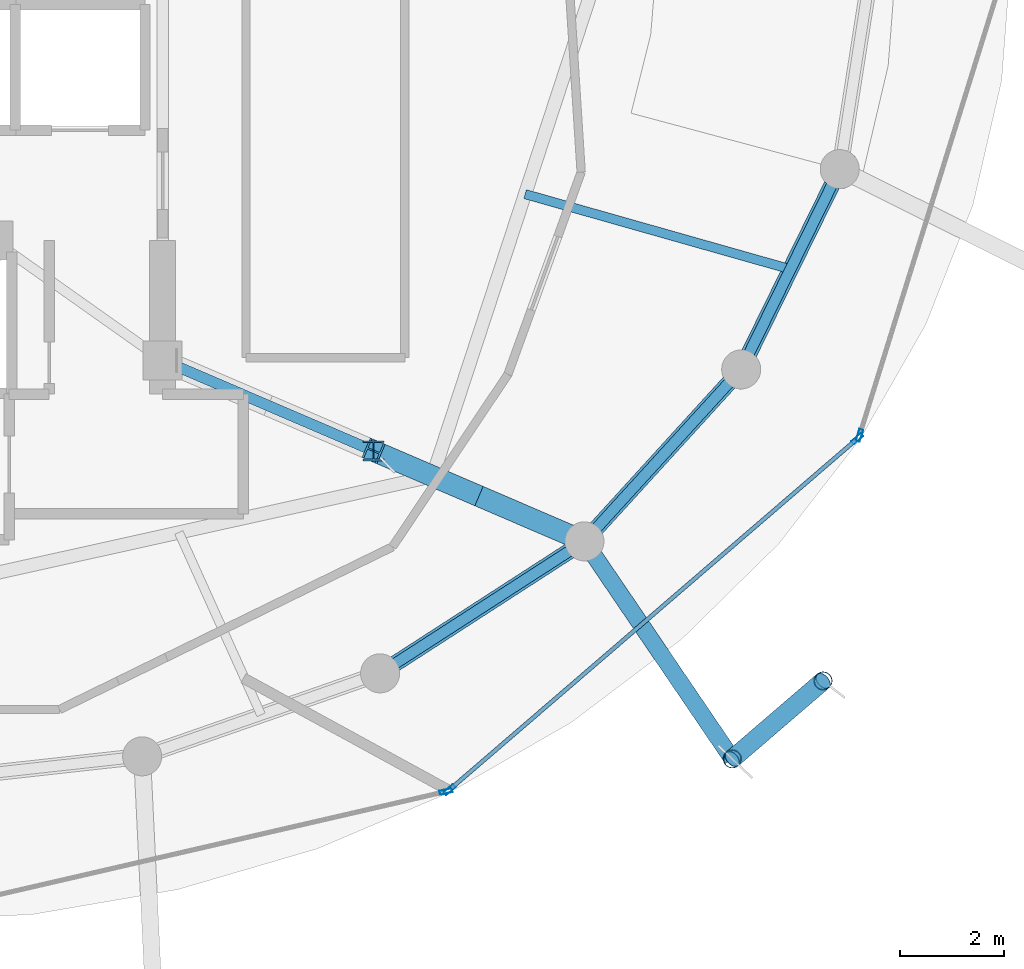
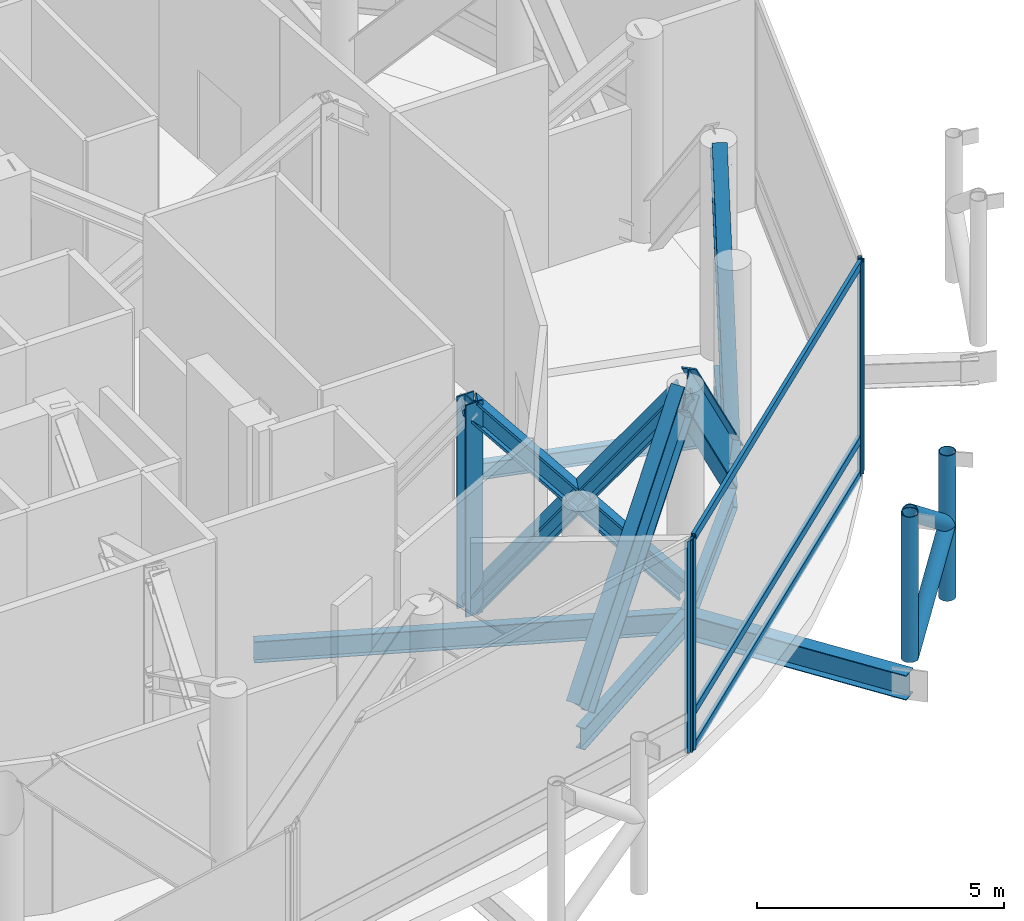
# One storey, part 9 of 26: 17 members, 6 beams, 3 elements without a shape of their own.
"""IFC4 building model written with IfcOpenShell, lengths in metres."""

from ifc_helpers import new_model, si_unit, direction, frame, origin, origin_2d, place, context, subcontext, project, spatial, hollow_rectangle, hollow_circle, i_section, extrude, material, layer, layer_set, material_profile, profile_set, type_object, element, aggregate, save


model = new_model("IFC4")

# Units and contexts
model_context = context("Model", 3, precision=1e-05, world=origin(), true_north=direction((0.0, 1.0)))
body_context = subcontext(model_context, "Body", "Model", "MODEL_VIEW")
ifc_project = project(units=[si_unit("LENGTHUNIT", "METRE"), si_unit("AREAUNIT", "SQUARE_METRE"), si_unit("VOLUMEUNIT", "CUBIC_METRE"), si_unit("PLANEANGLEUNIT", "RADIAN"), si_unit("MASSUNIT", "GRAM", prefix="KILO")], contexts=[model_context])

# Site, building, storey
site_placement = place(None, origin())
site = spatial("IfcSite", under=ifc_project, at=site_placement, CompositionType="ELEMENT")
building_placement = place(site_placement, origin())
building = spatial("IfcBuilding", under=site, at=building_placement, Name="Nuhasar Tower", CompositionType="ELEMENT")
storey_placement = place(building_placement, frame((0.0, 0.0, 301.199951171875)))
storey = spatial("IfcBuildingStorey", under=building, at=storey_placement, Name="L75", CompositionType="ELEMENT", Elevation=301.199951171875)

# Members
ifc_material_1 = material(Name="Steel S460", Category="steel")
ifc_material_profile_1 = material_profile(ifc_material_1, i_section(OverallWidth=0.306884765625, OverallDepth=0.927001953125, WebThickness=0.019287109375, FlangeThickness=0.031982421875, at=origin_2d()), Name="W36X194")
ifc_profile_set_1 = profile_set([ifc_material_profile_1], Name="Steel S460")
member_type_1 = type_object("IfcMemberType", Name="BLT-DIAG-W36B", PredefinedType="CHORD", material=ifc_profile_set_1)
member_1_placement = place(storey_placement, frame((48.47509765625, 12.987060546875, 0.150146484375), z_axis=(0.576604531791, 0.372411349439, 0.727211799084), x_axis=(-0.542546940809, 0.840025485934, 0.0)))
element("IfcMember", 1, at=member_1_placement, inside=storey, type_object=member_type_1, Name="L75 Belt Truss Diagonal 21", PredefinedType="CHORD", context=body_context, shape_type="SweptSolid", body=[
    extrude(i_section(OverallWidth=0.306884765625, OverallDepth=0.927001953125, WebThickness=0.019287109375, FlangeThickness=0.031982421875, at=origin_2d()), origin(), (0.0, 0.0, 1.0), 6.806640625),
])
member_2_placement = place(storey_placement, frame((55.410888671875, 18.824951171875, 0.150146484375), z_axis=(-0.451478957779, -0.495261397858, 0.742214860047), x_axis=(0.739017432293, -0.673686302939, 0.0)))
element("IfcMember", 2, at=member_2_placement, inside=storey, type_object=member_type_1, Name="L75 Belt Truss Diagonal 22", PredefinedType="CHORD", context=body_context, shape_type="SweptSolid", body=[
    extrude(i_section(OverallWidth=0.306884765625, OverallDepth=0.927001953125, WebThickness=0.019287109375, FlangeThickness=0.031982421875, at=origin_2d()), origin(), (0.0, 0.0, 1.0), 6.669189453125),
])
member_3_placement = place(storey_placement, frame((55.410888671875, 18.824951171875, 0.150146484375), z_axis=(0.289071954974, 0.587464001351, 0.755859412831), x_axis=(-0.897256052576, 0.441510561726, 0.0)))
element("IfcMember", 3, at=member_3_placement, inside=storey, type_object=member_type_1, Name="L75 Belt Truss Diagonal 23", PredefinedType="CHORD", context=body_context, shape_type="SweptSolid", body=[
    extrude(i_section(OverallWidth=0.306884765625, OverallDepth=0.927001953125, WebThickness=0.019287109375, FlangeThickness=0.031982421875, at=origin_2d()), origin(), (0.0, 0.0, 1.0), 6.548828125),
])

# Beams
ifc_material_2 = material(Name="Steel S355", Category="steel")
ifc_material_profile_2 = material_profile(ifc_material_2, i_section(OverallWidth=0.177978515625, OverallDepth=0.406005859375, WebThickness=0.0078125, FlangeThickness=0.0126953125, at=origin_2d()), Name="W16X40")
ifc_profile_set_2 = profile_set([ifc_material_profile_2], Name="Steel S355")
beam_type_1 = type_object("IfcBeamType", Name="BM-JST-W16X40", PredefinedType="JOIST", material=ifc_profile_set_2)
beam_1_placement = place(storey_placement, frame((51.260009765625, 22.19189453125, -0.552978515625), z_axis=(0.962154316042, -0.272505178156, 0.0), x_axis=(0.272505178156, 0.962154316042, 0.0)))
element("IfcBeam", 4, at=beam_1_placement, inside=storey, type_object=beam_type_1, Name="L75 Secondary Floor Joist 03", PredefinedType="JOIST", context=body_context, shape_type="SweptSolid", body=[
    extrude(i_section(OverallWidth=0.177978515625, OverallDepth=0.406005859375, WebThickness=0.0078125, FlangeThickness=0.0126953125, at=origin_2d()), origin(), (0.0, 0.0, 1.0), 5.29833984375),
])
ifc_material_profile_3 = material_profile(ifc_material_2, i_section(OverallWidth=0.208984375, OverallDepth=0.528076171875, WebThickness=0.009521484375, FlangeThickness=0.01318359375, at=origin_2d()), Name="W21X55")
ifc_profile_set_3 = profile_set([ifc_material_profile_3], Name="Steel S355")
beam_type_2 = type_object("IfcBeamType", Name="BM-RAD-W21X55", PredefinedType="BEAM", material=ifc_profile_set_3)
beam_2_placement = place(storey_placement, frame((44.300048828125, 19.0, -0.614013671875), z_axis=(0.91887119061, -0.394557644797, 0.0), x_axis=(0.394557644797, 0.91887119061, 0.0)))
element("IfcBeam", 5, at=beam_2_placement, inside=storey, type_object=beam_type_2, Name="L75 Radial Floor Girder 03", PredefinedType="BEAM", context=body_context, shape_type="SweptSolid", body=[
    extrude(i_section(OverallWidth=0.208984375, OverallDepth=0.528076171875, WebThickness=0.009521484375, FlangeThickness=0.01318359375, at=origin_2d()), origin(), (0.0, 0.0, 1.0), 8.81494140625),
])
ifc_material_profile_4 = material_profile(ifc_material_2, i_section(OverallWidth=0.2099609375, OverallDepth=0.537109375, WebThickness=0.010986328125, FlangeThickness=0.017333984375, at=origin_2d()), Name="W21X68")
ifc_profile_set_4 = profile_set([ifc_material_profile_4], Name="Steel S355")
beam_type_3 = type_object("IfcBeamType", Name="BM-RING-W21X68", PredefinedType="SPANDREL", material=ifc_profile_set_4)
beam_3_placement = place(storey_placement, frame((48.47509765625, 12.987060546875, -0.617919921875), z_axis=(0.840025485934, 0.542546940809, 0.0), x_axis=(-0.542546940809, 0.840025485934, 0.0)))
element("IfcBeam", 6, at=beam_3_placement, inside=storey, type_object=beam_type_3, Name="L75 Perimeter Ring Spandrel 21", PredefinedType="SPANDREL", context=body_context, shape_type="SweptSolid", body=[
    extrude(i_section(OverallWidth=0.2099609375, OverallDepth=0.537109375, WebThickness=0.010986328125, FlangeThickness=0.017333984375, at=origin_2d()), origin(), (0.0, 0.0, 1.0), 4.67236328125),
])
beam_4_placement = place(storey_placement, frame((52.39990234375, 15.52197265625, -0.617919921875), z_axis=(0.673686302939, 0.739017432293, 0.0), x_axis=(-0.739017432293, 0.673686302939, 0.0)))
element("IfcBeam", 7, at=beam_4_placement, inside=storey, type_object=beam_type_3, Name="L75 Perimeter Ring Spandrel 22", PredefinedType="SPANDREL", context=body_context, shape_type="SweptSolid", body=[
    extrude(i_section(OverallWidth=0.2099609375, OverallDepth=0.537109375, WebThickness=0.010986328125, FlangeThickness=0.017333984375, at=origin_2d()), origin(), (0.0, 0.0, 1.0), 4.469482421875),
])
beam_5_placement = place(storey_placement, frame((55.410888671875, 18.824951171875, -0.617919921875), z_axis=(0.441510561726, 0.897256052576, 0.0), x_axis=(-0.897256052576, 0.441510561726, 0.0)))
element("IfcBeam", 8, at=beam_5_placement, inside=storey, type_object=beam_type_3, Name="L75 Perimeter Ring Spandrel 23", PredefinedType="SPANDREL", context=body_context, shape_type="SweptSolid", body=[
    extrude(i_section(OverallWidth=0.2099609375, OverallDepth=0.537109375, WebThickness=0.010986328125, FlangeThickness=0.017333984375, at=origin_2d()), origin(), (0.0, 0.0, 1.0), 4.28759765625),
])
ifc_material_profile_5 = material_profile(ifc_material_2, i_section(OverallWidth=0.323974609375, OverallDepth=0.611083984375, WebThickness=0.0126953125, FlangeThickness=0.01904296875, at=origin_2d()), Name="W24X104")
ifc_profile_set_5 = profile_set([ifc_material_profile_5], Name="Steel S355")
beam_type_4 = type_object("IfcBeamType", Name="BM-TIE-W24X104", PredefinedType="BEAM", material=ifc_profile_set_5)
beam_6_placement = place(storey_placement, frame((52.39990234375, 15.52197265625, -0.655029296875), z_axis=(0.562093254487, -0.827073862034, 0.0), x_axis=(0.827073862034, 0.562093254487, 0.0)))
element("IfcBeam", 9, at=beam_6_placement, inside=storey, type_object=beam_type_4, Name="L75 Exoskeleton Node Tie Beam 11", PredefinedType="BEAM", context=body_context, shape_type="SweptSolid", body=[
    extrude(i_section(OverallWidth=0.323974609375, OverallDepth=0.611083984375, WebThickness=0.0126953125, FlangeThickness=0.01904296875, at=origin_2d()), origin(), (0.0, 0.0, 1.0), 5.052734375),
])

# Curtain wall, member
ifc_material_3 = material(Name="Aluminium 6063-T6", Category="aluminium")
ifc_layer = layer(ifc_material_3, 0.219970703125)
ifc_layer_set = layer_set([ifc_layer], Name="Aluminium 6063-T6")
curtain_wall_type = type_object("IfcCurtainWallType", Name="CW-CROWN", PredefinedType="NOTDEFINED", material=ifc_layer_set)
curtain_wall_1_placement = place(storey_placement, origin())
curtain_wall_1 = element("IfcCurtainWall", 10, at=curtain_wall_1_placement, inside=storey, type_object=curtain_wall_type, Name="L75 Unitised Curtain Wall 10", PredefinedType="NOTDEFINED")
ifc_material_profile_6 = material_profile(ifc_material_3, hollow_rectangle(XDim=0.080078125, YDim=0.239990234375, WallThickness=0.0048828125, at=origin_2d()), Name="CWM-7")
ifc_profile_set_6 = profile_set([ifc_material_profile_6], Name="Aluminium 6063-T6")
member_type_2 = type_object("IfcMemberType", Name="CW-MUL-S7", PredefinedType="MULLION", material=ifc_profile_set_6)
member_4_placement = place(storey_placement, frame((49.740966796875, 10.718017578125, 0.0), z_axis=(0.0, 0.0, 1.0), x_axis=(-0.224800092578, 0.974404904738, 0.0)))
member_4 = element("IfcMember", 11, at=member_4_placement, type_object=member_type_2, Name="CW-CR mullion 2", PredefinedType="MULLION", context=body_context, shape_type="SweptSolid", body=[
    extrude(hollow_rectangle(XDim=0.080078125, YDim=0.239990234375, WallThickness=0.0048828125, at=origin_2d()), origin(), (0.0, 0.0, 1.0), 5.25),
])
aggregate(curtain_wall_1, [member_4])

# Curtain wall, members
curtain_wall_2_placement = place(storey_placement, origin())
curtain_wall_2 = element("IfcCurtainWall", 12, at=curtain_wall_2_placement, inside=storey, type_object=curtain_wall_type, Name="L75 Unitised Curtain Wall 11", PredefinedType="NOTDEFINED")
member_5_placement = place(storey_placement, frame((49.810302734375, 10.753173828125, 0.0), z_axis=(0.0, 0.0, 1.0), x_axis=(-0.652363814796, 0.757905965898, 0.0)))
member_5 = element("IfcMember", 13, at=member_5_placement, type_object=member_type_2, Name="CW-CR mullion 1", PredefinedType="MULLION", context=body_context, shape_type="SweptSolid", body=[
    extrude(hollow_rectangle(XDim=0.080078125, YDim=0.239990234375, WallThickness=0.0048828125, at=origin_2d()), origin(), (0.0, 0.0, 1.0), 5.25),
])
member_6_placement = place(storey_placement, frame((57.6416015625, 17.493896484375, 0.0), z_axis=(0.0, 0.0, 1.0), x_axis=(-0.652363814796, 0.757905965898, 0.0)))
member_6 = element("IfcMember", 14, at=member_6_placement, type_object=member_type_2, Name="CW-CR mullion 2", PredefinedType="MULLION", context=body_context, shape_type="SweptSolid", body=[
    extrude(hollow_rectangle(XDim=0.080078125, YDim=0.239990234375, WallThickness=0.0048828125, at=origin_2d()), origin(), (0.0, 0.0, 1.0), 5.25),
])

# Curtain wall, member
curtain_wall_3_placement = place(storey_placement, origin())
curtain_wall_3 = element("IfcCurtainWall", 15, at=curtain_wall_3_placement, inside=storey, type_object=curtain_wall_type, Name="L75 Unitised Curtain Wall 12", PredefinedType="NOTDEFINED")
member_7_placement = place(storey_placement, frame((57.683837890625, 17.55810546875, 0.0), z_axis=(0.0, 0.0, 1.0), x_axis=(-0.954830829827, 0.297149939275, 0.0)))
member_7 = element("IfcMember", 16, at=member_7_placement, type_object=member_type_2, Name="CW-CR mullion 1", PredefinedType="MULLION", context=body_context, shape_type="SweptSolid", body=[
    extrude(hollow_rectangle(XDim=0.080078125, YDim=0.239990234375, WallThickness=0.0048828125, at=origin_2d()), origin(), (0.0, 0.0, 1.0), 5.25),
])
aggregate(curtain_wall_3, [member_7])

# Member
ifc_material_profile_7 = material_profile(ifc_material_3, hollow_rectangle(XDim=0.080078125, YDim=0.199951171875, WallThickness=0.00439453125, at=origin_2d()), Name="CWT-7")
ifc_profile_set_7 = profile_set([ifc_material_profile_7], Name="Aluminium 6063-T6")
member_type_3 = type_object("IfcMemberType", Name="CW-TRN-S7", PredefinedType="USERDEFINED", material=ifc_profile_set_7)
member_8_placement = place(storey_placement, frame((49.840576171875, 10.779296875, 0.0400390625), z_axis=(0.75791367107, 0.652354862943, 0.0), x_axis=(-0.652354862943, 0.75791367107, 0.0)))
member_8 = element("IfcMember", 17, at=member_8_placement, type_object=member_type_3, Name="CW-CR transom 1.1", ObjectType="TRANSOM", PredefinedType="USERDEFINED", context=body_context, shape_type="SweptSolid", body=[
    extrude(hollow_rectangle(XDim=0.080078125, YDim=0.199951171875, WallThickness=0.00439453125, at=origin_2d()), origin(), (0.0, 0.0, 1.0), 10.2529296875),
])

member_9_placement = place(storey_placement, frame((49.840576171875, 10.779296875, 0.900146484375), z_axis=(0.75791367107, 0.652354862943, 0.0), x_axis=(-0.652354862943, 0.75791367107, 0.0)))
member_9 = element("IfcMember", 18, at=member_9_placement, type_object=member_type_3, Name="CW-CR transom 1.2", ObjectType="TRANSOM", PredefinedType="USERDEFINED", context=body_context, shape_type="SweptSolid", body=[
    extrude(hollow_rectangle(XDim=0.080078125, YDim=0.199951171875, WallThickness=0.00439453125, at=origin_2d()), origin(), (0.0, 0.0, 1.0), 10.2529296875),
])

member_10_placement = place(storey_placement, frame((49.840576171875, 10.779296875, 5.2099609375), z_axis=(0.75791367107, 0.652354862943, 0.0), x_axis=(-0.652354862943, 0.75791367107, 0.0)))
member_10 = element("IfcMember", 19, at=member_10_placement, type_object=member_type_3, Name="CW-CR transom 1.3", ObjectType="TRANSOM", PredefinedType="USERDEFINED", context=body_context, shape_type="SweptSolid", body=[
    extrude(hollow_rectangle(XDim=0.080078125, YDim=0.199951171875, WallThickness=0.00439453125, at=origin_2d()), origin(), (0.0, 0.0, 1.0), 10.2529296875),
])

aggregate(curtain_wall_2, [member_5, member_6, member_8, member_9, member_10])

# Members
ifc_material_profile_8 = material_profile(ifc_material_1, hollow_circle(Radius=0.177734375, WallThickness=0.015869140625, at=origin_2d()), Name="HSS355.6X15.9")
ifc_profile_set_8 = profile_set([ifc_material_profile_8], Name="Steel S460")
member_type_4 = type_object("IfcMemberType", Name="EXO-BRONZE-356", PredefinedType="BRACE", material=ifc_profile_set_8)
for number, where, z_axis, x_axis, name in (
    (20, (55.239990234375, 11.343017578125, 0.0), (0.0, 0.0, 1.0), (1.0, 0.0, 0.0), "L75 Exoskeleton Chord Column EC-11A"),
    (21, (56.98388671875, 12.842041015625, 0.0), (0.0, 0.0, 1.0), (1.0, 0.0, 0.0), "L75 Exoskeleton Chord Column EC-11B"),
):
    element("IfcMember", number, at=place(storey_placement, frame(where, z_axis=z_axis, x_axis=x_axis)), inside=storey, type_object=member_type_4, Name=name, PredefinedType="BRACE", context=body_context, shape_type="SweptSolid", body=[
        extrude(hollow_circle(Radius=0.177734375, WallThickness=0.015869140625, at=origin_2d()), origin(), (0.0, 0.0, 1.0), 3.60009765625),
    ])
for number, where, z_axis, x_axis, name in (
    (22, (55.239990234375, 11.343017578125, 0.0), (0.597154021397, 0.513303330726, 0.616381996326), (-0.65185738425, 0.758341579104, 0.0), "L75 Bronze Diagrid Brace W1-11"),
    (23, (56.98388671875, 12.842041015625, 1.800048828125), (-0.597154021397, -0.513303330726, 0.616381996326), (0.65185738425, -0.758341579104, 0.0), "L75 Bronze Diagrid Brace W2-11"),
):
    element("IfcMember", number, at=place(storey_placement, frame(where, z_axis=z_axis, x_axis=x_axis)), inside=storey, type_object=member_type_4, Name=name, PredefinedType="BRACE", context=body_context, shape_type="SweptSolid", body=[
        extrude(hollow_circle(Radius=0.177734375, WallThickness=0.015869140625, at=origin_2d()), origin(), (0.0, 0.0, 1.0), 2.92041015625),
    ])
ifc_material_profile_9 = material_profile(ifc_material_1, i_section(OverallWidth=0.39892578125, OverallDepth=0.385986328125, WebThickness=0.02099609375, FlangeThickness=0.033203125, at=origin_2d()), Name="W14X176")
ifc_profile_set_9 = profile_set([ifc_material_profile_9], Name="Steel S460")
member_type_5 = type_object("IfcMemberType", Name="OUT-CHRD-W14C", PredefinedType="CHORD", material=ifc_profile_set_9)
member_11_placement = place(storey_placement, frame((48.35009765625, 17.260986328125, 0.0), z_axis=(0.0, 0.0, 1.0), x_axis=(1.0, 0.0, 0.0)))
element("IfcMember", 24, at=member_11_placement, inside=storey, type_object=member_type_5, Name="L75 Outrigger Truss Post 03", PredefinedType="CHORD", context=body_context, shape_type="SweptSolid", body=[
    extrude(i_section(OverallWidth=0.39892578125, OverallDepth=0.385986328125, WebThickness=0.02099609375, FlangeThickness=0.033203125, at=origin_2d()), origin(), (0.0, 0.0, 1.0), 5.25),
])
ifc_material_profile_10 = material_profile(ifc_material_1, i_section(OverallWidth=0.406005859375, OverallDepth=0.416015625, WebThickness=0.02978515625, FlangeThickness=0.048095703125, at=origin_2d()), Name="W14X257")
ifc_profile_set_10 = profile_set([ifc_material_profile_10], Name="Steel S460")
member_type_6 = type_object("IfcMemberType", Name="OUT-DIAG-W14B", PredefinedType="STRUT", material=ifc_profile_set_10)
for number, where, z_axis, x_axis, name in (
    (25, (48.35009765625, 17.260986328125, 0.150146484375), (0.611037405111, -0.262383616868, 0.746852145444), (0.39456768616, 0.918866878845, 0.0), "L75 Outrigger Truss Diagonal OUT1-03"),
    (26, (52.39990234375, 15.52197265625, 0.150146484375), (-0.611037405111, 0.262383616868, 0.746852145444), (-0.39456768616, -0.918866878845, 0.0), "L75 Outrigger Truss Diagonal OUT2-03"),
):
    element("IfcMember", number, at=place(storey_placement, frame(where, z_axis=z_axis, x_axis=x_axis)), inside=storey, type_object=member_type_6, Name=name, PredefinedType="STRUT", context=body_context, shape_type="SweptSolid", body=[
        extrude(i_section(OverallWidth=0.406005859375, OverallDepth=0.416015625, WebThickness=0.02978515625, FlangeThickness=0.048095703125, at=origin_2d()), origin(), (0.0, 0.0, 1.0), 6.627685546875),
    ])

save(model, "model.ifc")
